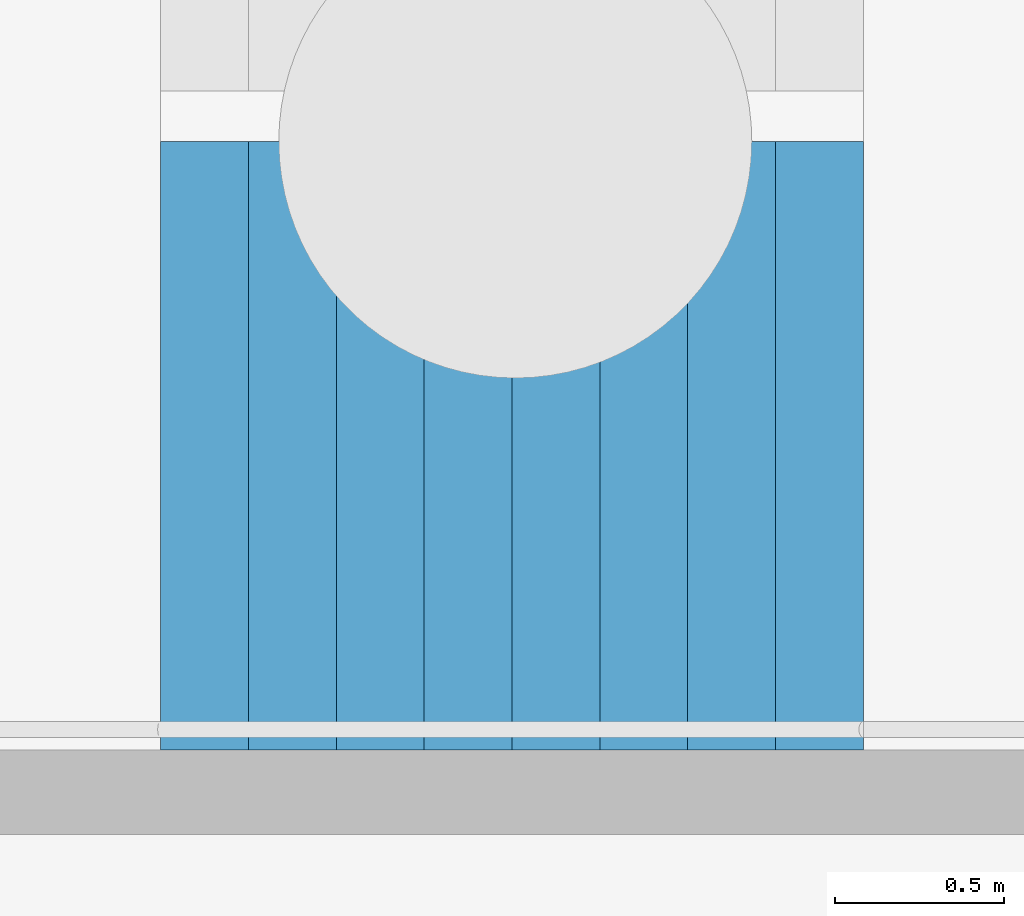
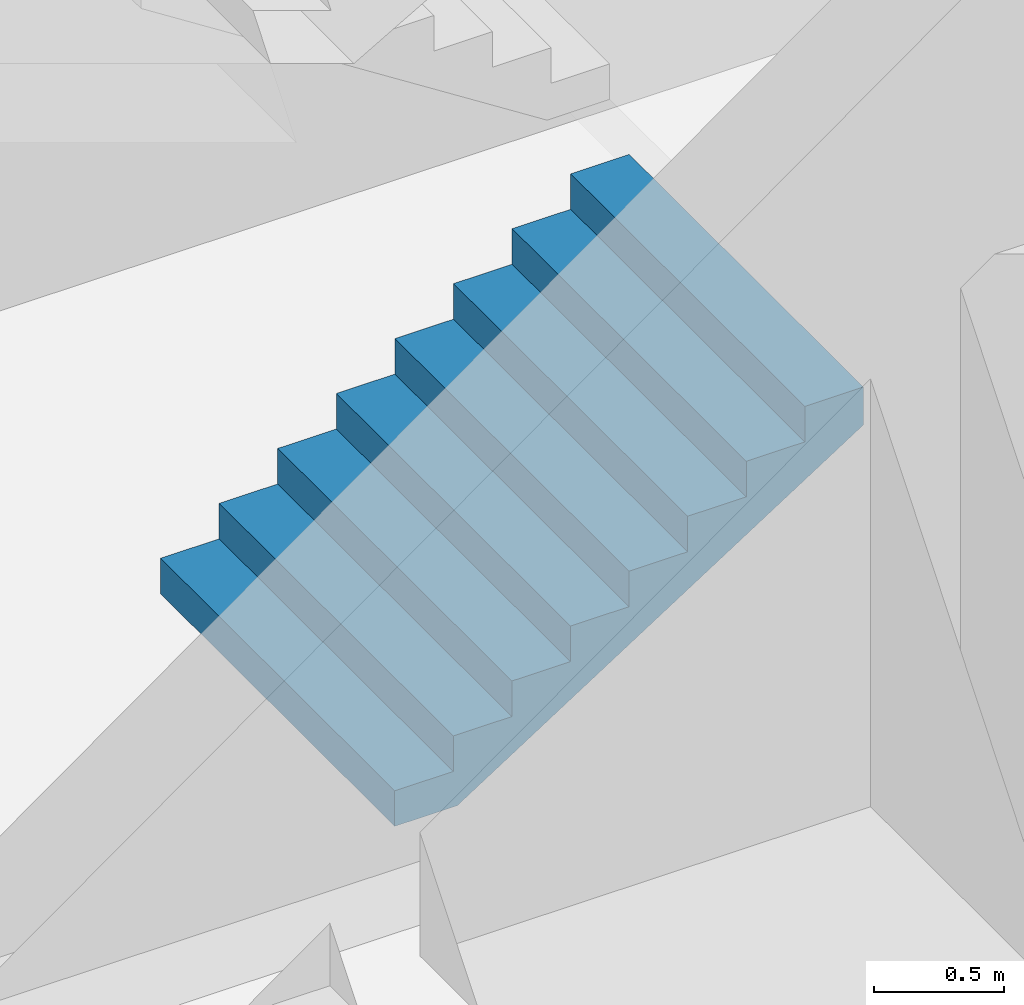
# One storey, part 58 of 113: 1 stair flight, 1 element without a shape of its own.
"""IFC4 building model written with IfcOpenShell, lengths in metres."""

from ifc_helpers import new_model, si_unit, direction, frame, origin, place, context, subcontext, project, spatial, triangles, material, type_object, element, aggregate, save


model = new_model("IFC4")

# Units and contexts
model_context = context("Model", 3, precision=1e-05, world=origin(), true_north=direction((0.0, 1.0)))
body_context = subcontext(model_context, "Body", "Model", "MODEL_VIEW")
ifc_project = project(units=[si_unit("LENGTHUNIT", "METRE"), si_unit("AREAUNIT", "SQUARE_METRE"), si_unit("VOLUMEUNIT", "CUBIC_METRE"), si_unit("PLANEANGLEUNIT", "RADIAN"), si_unit("MASSUNIT", "GRAM", prefix="KILO")], contexts=[model_context])

# Site, building, storey
site_placement = place(None, origin())
site = spatial("IfcSite", under=ifc_project, at=site_placement, CompositionType="ELEMENT")
building_placement = place(site_placement, origin())
building = spatial("IfcBuilding", under=site, at=building_placement, Name="Hakoniwa Tower and Hamabe Station Hall", CompositionType="ELEMENT")
storey_placement = place(building_placement, origin())
storey = spatial("IfcBuildingStorey", under=building, at=storey_placement, Name="L01", CompositionType="ELEMENT", Elevation=0.0)

# Stair, stair flight
ifc_material_1 = material(Name="Concrete C40", Category="concrete")
stair_type = type_object("IfcStairType", Name="ESCAPE STAIR 1800", PredefinedType="HALF_TURN_STAIR", material=ifc_material_1)
stair_placement = place(storey_placement, origin())
stair = element("IfcStair", 1, at=stair_placement, inside=storey, type_object=stair_type, Name="Escape stair ST-1 L01", PredefinedType="HALF_TURN_STAIR")
ifc_material_2 = material(Name="Concrete C40", Category="concrete")
stair_flight_type = type_object("IfcStairFlightType", Name="STAIR FLIGHT 1800", PredefinedType="STRAIGHT", material=ifc_material_2)
stair_flight_placement = place(storey_placement, frame((-24.39990234375, 4.64990234375, 0.0), z_axis=(0.0, 0.0, 1.0), x_axis=(1.0, 0.0, 0.0)))
stair_flight = element("IfcStairFlight", 2, at=stair_flight_placement, type_object=stair_flight_type, Name="ST-1 flight 1", NumberOfRisers=9, NumberOfTreads=8, PredefinedType="STRAIGHT", RiserHeight=0.166666667, TreadLength=0.26, context=body_context, shape_type="Tessellation", body=[
    triangles([(0.0, 0.89990234375, 0.0), (0.260009765625, 0.89990234375, 0.0), (0.27783203125, 0.89990234375, 0.0), (0.52001953125, 0.89990234375, 0.1552734375), (0.780029296875, 0.89990234375, 0.322021484375), (1.0400390625, 0.89990234375, 0.488525390625), (1.300048828125, 0.89990234375, 0.6552734375), (1.56005859375, 0.89990234375, 0.822021484375), (1.820068359375, 0.89990234375, 0.988525390625), (2.080078125, 0.89990234375, 1.1552734375), (2.080078125, 0.89990234375, 1.333251953125), (1.820068359375, 0.89990234375, 1.333251953125), (1.820068359375, 0.89990234375, 1.166748046875), (1.56005859375, 0.89990234375, 1.166748046875), (1.56005859375, 0.89990234375, 1.0), (1.300048828125, 0.89990234375, 1.0), (1.300048828125, 0.89990234375, 0.833251953125), (1.0400390625, 0.89990234375, 0.833251953125), (1.0400390625, 0.89990234375, 0.666748046875), (0.780029296875, 0.89990234375, 0.666748046875), (0.780029296875, 0.89990234375, 0.5), (0.52001953125, 0.89990234375, 0.5), (0.52001953125, 0.89990234375, 0.333251953125), (0.27783203125, 0.89990234375, 0.333251953125), (0.260009765625, 0.89990234375, 0.333251953125), (0.260009765625, 0.89990234375, 0.166748046875), (0.0, 0.89990234375, 0.166748046875), (0.0, 0.06005859375, 0.0), (0.260009765625, 0.06005859375, 0.0), (0.27783203125, 0.06005859375, 0.0), (0.52001953125, 0.06005859375, 0.1552734375), (0.780029296875, 0.06005859375, 0.322021484375), (1.0400390625, 0.06005859375, 0.488525390625), (1.300048828125, 0.06005859375, 0.6552734375), (1.56005859375, 0.06005859375, 0.822021484375), (1.820068359375, 0.06005859375, 0.988525390625), (2.080078125, 0.06005859375, 1.1552734375), (2.080078125, 0.06005859375, 1.333251953125), (1.820068359375, 0.06005859375, 1.333251953125), (1.820068359375, 0.06005859375, 1.166748046875), (1.56005859375, 0.06005859375, 1.166748046875), (1.56005859375, 0.06005859375, 1.0), (1.300048828125, 0.06005859375, 1.0), (1.300048828125, 0.06005859375, 0.833251953125), (1.0400390625, 0.06005859375, 0.833251953125), (1.0400390625, 0.06005859375, 0.666748046875), (0.780029296875, 0.06005859375, 0.666748046875), (0.780029296875, 0.06005859375, 0.5), (0.52001953125, 0.06005859375, 0.5), (0.52001953125, 0.06005859375, 0.333251953125), (0.27783203125, 0.06005859375, 0.333251953125), (0.260009765625, 0.06005859375, 0.333251953125), (0.260009765625, 0.06005859375, 0.166748046875), (0.0, 0.06005859375, 0.166748046875), (0.0, 0.04296875, 0.0), (0.260009765625, 0.04296875, 0.0), (0.27783203125, 0.04296875, 0.0), (0.52001953125, 0.04296875, 0.1552734375), (0.780029296875, 0.04296875, 0.322021484375), (1.0400390625, 0.04296875, 0.488525390625), (1.300048828125, 0.04296875, 0.6552734375), (1.56005859375, 0.04296875, 0.822021484375), (1.820068359375, 0.04296875, 0.988525390625), (2.080078125, 0.04296875, 1.1552734375), (2.080078125, 0.04296875, 1.333251953125), (1.820068359375, 0.04296875, 1.333251953125), (1.820068359375, 0.04296875, 1.166748046875), (1.56005859375, 0.04296875, 1.166748046875), (1.56005859375, 0.04296875, 1.0), (1.300048828125, 0.04296875, 1.0), (1.300048828125, 0.04296875, 0.833251953125), (1.0400390625, 0.04296875, 0.833251953125), (1.0400390625, 0.04296875, 0.666748046875), (0.780029296875, 0.04296875, 0.666748046875), (0.780029296875, 0.04296875, 0.5), (0.52001953125, 0.04296875, 0.5), (0.52001953125, 0.04296875, 0.333251953125), (0.27783203125, 0.04296875, 0.333251953125), (0.260009765625, 0.04296875, 0.333251953125), (0.260009765625, 0.04296875, 0.166748046875), (0.0, 0.04296875, 0.166748046875), (0.0, 0.025634765625, 0.0), (0.260009765625, 0.025634765625, 0.0), (0.27783203125, 0.025634765625, 0.0), (0.52001953125, 0.025634765625, 0.1552734375), (0.780029296875, 0.025634765625, 0.322021484375), (1.0400390625, 0.025634765625, 0.488525390625), (1.300048828125, 0.025634765625, 0.6552734375), (1.56005859375, 0.025634765625, 0.822021484375), (1.820068359375, 0.025634765625, 0.988525390625), (2.080078125, 0.025634765625, 1.1552734375), (2.080078125, 0.025634765625, 1.333251953125), (1.820068359375, 0.025634765625, 1.333251953125), (1.820068359375, 0.025634765625, 1.166748046875), (1.56005859375, 0.025634765625, 1.166748046875), (1.56005859375, 0.025634765625, 1.0), (1.300048828125, 0.025634765625, 1.0), (1.300048828125, 0.025634765625, 0.833251953125), (1.0400390625, 0.025634765625, 0.833251953125), (1.0400390625, 0.025634765625, 0.666748046875), (0.780029296875, 0.025634765625, 0.666748046875), (0.780029296875, 0.025634765625, 0.5), (0.52001953125, 0.025634765625, 0.5), (0.52001953125, 0.025634765625, 0.333251953125), (0.27783203125, 0.025634765625, 0.333251953125), (0.260009765625, 0.025634765625, 0.333251953125), (0.260009765625, 0.025634765625, 0.166748046875), (0.0, 0.025634765625, 0.166748046875), (0.0, 0.008544921875, 0.0), (0.260009765625, 0.008544921875, 0.0), (0.27783203125, 0.008544921875, 0.0), (0.52001953125, 0.008544921875, 0.1552734375), (0.780029296875, 0.008544921875, 0.322021484375), (1.0400390625, 0.008544921875, 0.488525390625), (1.300048828125, 0.008544921875, 0.6552734375), (1.56005859375, 0.008544921875, 0.822021484375), (1.820068359375, 0.008544921875, 0.988525390625), (2.080078125, 0.008544921875, 1.1552734375), (2.080078125, 0.008544921875, 1.333251953125), (1.820068359375, 0.008544921875, 1.333251953125), (1.820068359375, 0.008544921875, 1.166748046875), (1.56005859375, 0.008544921875, 1.166748046875), (1.56005859375, 0.008544921875, 1.0), (1.300048828125, 0.008544921875, 1.0), (1.300048828125, 0.008544921875, 0.833251953125), (1.0400390625, 0.008544921875, 0.833251953125), (1.0400390625, 0.008544921875, 0.666748046875), (0.780029296875, 0.008544921875, 0.666748046875), (0.780029296875, 0.008544921875, 0.5), (0.52001953125, 0.008544921875, 0.5), (0.52001953125, 0.008544921875, 0.333251953125), (0.27783203125, 0.008544921875, 0.333251953125), (0.260009765625, 0.008544921875, 0.333251953125), (0.260009765625, 0.008544921875, 0.166748046875), (0.0, 0.008544921875, 0.166748046875), (0.0, -0.008544921875, 0.0), (0.260009765625, -0.008544921875, 0.0), (0.27783203125, -0.008544921875, 0.0), (0.52001953125, -0.008544921875, 0.1552734375), (0.780029296875, -0.008544921875, 0.322021484375), (1.0400390625, -0.008544921875, 0.488525390625), (1.300048828125, -0.008544921875, 0.6552734375), (1.56005859375, -0.008544921875, 0.822021484375), (1.820068359375, -0.008544921875, 0.988525390625), (2.080078125, -0.008544921875, 1.1552734375), (2.080078125, -0.008544921875, 1.333251953125), (1.820068359375, -0.008544921875, 1.333251953125), (1.820068359375, -0.008544921875, 1.166748046875), (1.56005859375, -0.008544921875, 1.166748046875), (1.56005859375, -0.008544921875, 1.0), (1.300048828125, -0.008544921875, 1.0), (1.300048828125, -0.008544921875, 0.833251953125), (1.0400390625, -0.008544921875, 0.833251953125), (1.0400390625, -0.008544921875, 0.666748046875), (0.780029296875, -0.008544921875, 0.666748046875), (0.780029296875, -0.008544921875, 0.5), (0.52001953125, -0.008544921875, 0.5), (0.52001953125, -0.008544921875, 0.333251953125), (0.27783203125, -0.008544921875, 0.333251953125), (0.260009765625, -0.008544921875, 0.333251953125), (0.260009765625, -0.008544921875, 0.166748046875), (0.0, -0.008544921875, 0.166748046875), (0.0, -0.025634765625, 0.0), (0.260009765625, -0.025634765625, 0.0), (0.27783203125, -0.025634765625, 0.0), (0.52001953125, -0.025634765625, 0.1552734375), (0.780029296875, -0.025634765625, 0.322021484375), (1.0400390625, -0.025634765625, 0.488525390625), (1.300048828125, -0.025634765625, 0.6552734375), (1.56005859375, -0.025634765625, 0.822021484375), (1.820068359375, -0.025634765625, 0.988525390625), (2.080078125, -0.025634765625, 1.1552734375), (2.080078125, -0.025634765625, 1.333251953125), (1.820068359375, -0.025634765625, 1.333251953125), (1.820068359375, -0.025634765625, 1.166748046875), (1.56005859375, -0.025634765625, 1.166748046875), (1.56005859375, -0.025634765625, 1.0), (1.300048828125, -0.025634765625, 1.0), (1.300048828125, -0.025634765625, 0.833251953125), (1.0400390625, -0.025634765625, 0.833251953125), (1.0400390625, -0.025634765625, 0.666748046875), (0.780029296875, -0.025634765625, 0.666748046875), (0.780029296875, -0.025634765625, 0.5), (0.52001953125, -0.025634765625, 0.5), (0.52001953125, -0.025634765625, 0.333251953125), (0.27783203125, -0.025634765625, 0.333251953125), (0.260009765625, -0.025634765625, 0.333251953125), (0.260009765625, -0.025634765625, 0.166748046875), (0.0, -0.025634765625, 0.166748046875), (0.0, -0.04296875, 0.0), (0.260009765625, -0.04296875, 0.0), (0.27783203125, -0.04296875, 0.0), (0.52001953125, -0.04296875, 0.1552734375), (0.780029296875, -0.04296875, 0.322021484375), (1.0400390625, -0.04296875, 0.488525390625), (1.300048828125, -0.04296875, 0.6552734375), (1.56005859375, -0.04296875, 0.822021484375), (1.820068359375, -0.04296875, 0.988525390625), (2.080078125, -0.04296875, 1.1552734375), (2.080078125, -0.04296875, 1.333251953125), (1.820068359375, -0.04296875, 1.333251953125), (1.820068359375, -0.04296875, 1.166748046875), (1.56005859375, -0.04296875, 1.166748046875), (1.56005859375, -0.04296875, 1.0), (1.300048828125, -0.04296875, 1.0), (1.300048828125, -0.04296875, 0.833251953125), (1.0400390625, -0.04296875, 0.833251953125), (1.0400390625, -0.04296875, 0.666748046875), (0.780029296875, -0.04296875, 0.666748046875), (0.780029296875, -0.04296875, 0.5), (0.52001953125, -0.04296875, 0.5), (0.52001953125, -0.04296875, 0.333251953125), (0.27783203125, -0.04296875, 0.333251953125), (0.260009765625, -0.04296875, 0.333251953125), (0.260009765625, -0.04296875, 0.166748046875), (0.0, -0.04296875, 0.166748046875), (0.0, -0.06005859375, 0.0), (0.260009765625, -0.06005859375, 0.0), (0.27783203125, -0.06005859375, 0.0), (0.52001953125, -0.06005859375, 0.1552734375), (0.780029296875, -0.06005859375, 0.322021484375), (1.0400390625, -0.06005859375, 0.488525390625), (1.300048828125, -0.06005859375, 0.6552734375), (1.56005859375, -0.06005859375, 0.822021484375), (1.820068359375, -0.06005859375, 0.988525390625), (2.080078125, -0.06005859375, 1.1552734375), (2.080078125, -0.06005859375, 1.333251953125), (1.820068359375, -0.06005859375, 1.333251953125), (1.820068359375, -0.06005859375, 1.166748046875), (1.56005859375, -0.06005859375, 1.166748046875), (1.56005859375, -0.06005859375, 1.0), (1.300048828125, -0.06005859375, 1.0), (1.300048828125, -0.06005859375, 0.833251953125), (1.0400390625, -0.06005859375, 0.833251953125), (1.0400390625, -0.06005859375, 0.666748046875), (0.780029296875, -0.06005859375, 0.666748046875), (0.780029296875, -0.06005859375, 0.5), (0.52001953125, -0.06005859375, 0.5), (0.52001953125, -0.06005859375, 0.333251953125), (0.27783203125, -0.06005859375, 0.333251953125), (0.260009765625, -0.06005859375, 0.333251953125), (0.260009765625, -0.06005859375, 0.166748046875), (0.0, -0.06005859375, 0.166748046875), (0.0, -0.89990234375, 0.0), (0.260009765625, -0.89990234375, 0.0), (0.27783203125, -0.89990234375, 0.0), (0.52001953125, -0.89990234375, 0.1552734375), (0.780029296875, -0.89990234375, 0.322021484375), (1.0400390625, -0.89990234375, 0.488525390625), (1.300048828125, -0.89990234375, 0.6552734375), (1.56005859375, -0.89990234375, 0.822021484375), (1.820068359375, -0.89990234375, 0.988525390625), (2.080078125, -0.89990234375, 1.1552734375), (2.080078125, -0.89990234375, 1.333251953125), (1.820068359375, -0.89990234375, 1.333251953125), (1.820068359375, -0.89990234375, 1.166748046875), (1.56005859375, -0.89990234375, 1.166748046875), (1.56005859375, -0.89990234375, 1.0), (1.300048828125, -0.89990234375, 1.0), (1.300048828125, -0.89990234375, 0.833251953125), (1.0400390625, -0.89990234375, 0.833251953125), (1.0400390625, -0.89990234375, 0.666748046875), (0.780029296875, -0.89990234375, 0.666748046875), (0.780029296875, -0.89990234375, 0.5), (0.52001953125, -0.89990234375, 0.5), (0.52001953125, -0.89990234375, 0.333251953125), (0.27783203125, -0.89990234375, 0.333251953125), (0.260009765625, -0.89990234375, 0.333251953125), (0.260009765625, -0.89990234375, 0.166748046875), (0.0, -0.89990234375, 0.166748046875)], [[2, 27, 26], [245, 269, 270], [2, 1, 27], [245, 270, 244], [3, 25, 24], [246, 267, 268], [3, 26, 25], [246, 268, 269], [3, 2, 26], [246, 269, 245], [4, 24, 23], [247, 266, 267], [4, 3, 24], [247, 267, 246], [5, 22, 21], [248, 264, 265], [5, 23, 22], [248, 265, 266], [5, 4, 23], [248, 266, 247], [6, 20, 19], [249, 262, 263], [6, 21, 20], [249, 263, 264], [6, 5, 21], [249, 264, 248], [7, 18, 17], [250, 260, 261], [7, 19, 18], [250, 261, 262], [7, 6, 19], [250, 262, 249], [8, 16, 15], [251, 258, 259], [8, 17, 16], [251, 259, 260], [8, 7, 17], [251, 260, 250], [9, 14, 13], [252, 256, 257], [9, 15, 14], [252, 257, 258], [9, 8, 15], [252, 258, 251], [10, 12, 11], [253, 254, 255], [10, 13, 12], [253, 255, 256], [10, 9, 13], [253, 256, 252], [1, 2, 29], [1, 29, 28], [28, 29, 56], [28, 56, 55], [55, 56, 83], [55, 83, 82], [82, 83, 110], [82, 110, 109], [109, 110, 137], [109, 137, 136], [136, 137, 164], [136, 164, 163], [163, 164, 191], [163, 191, 190], [190, 191, 218], [190, 218, 217], [217, 218, 245], [217, 245, 244], [2, 3, 30], [2, 30, 29], [29, 30, 57], [29, 57, 56], [56, 57, 84], [56, 84, 83], [83, 84, 111], [83, 111, 110], [110, 111, 138], [110, 138, 137], [137, 138, 165], [137, 165, 164], [164, 165, 192], [164, 192, 191], [191, 192, 219], [191, 219, 218], [218, 219, 246], [218, 246, 245], [3, 4, 31], [3, 31, 30], [30, 31, 58], [30, 58, 57], [57, 58, 85], [57, 85, 84], [84, 85, 112], [84, 112, 111], [111, 112, 139], [111, 139, 138], [138, 139, 166], [138, 166, 165], [165, 166, 193], [165, 193, 192], [192, 193, 220], [192, 220, 219], [219, 220, 247], [219, 247, 246], [4, 5, 32], [4, 32, 31], [31, 32, 59], [31, 59, 58], [58, 59, 86], [58, 86, 85], [85, 86, 113], [85, 113, 112], [112, 113, 140], [112, 140, 139], [139, 140, 167], [139, 167, 166], [166, 167, 194], [166, 194, 193], [193, 194, 221], [193, 221, 220], [220, 221, 248], [220, 248, 247], [5, 6, 33], [5, 33, 32], [32, 33, 60], [32, 60, 59], [59, 60, 87], [59, 87, 86], [86, 87, 114], [86, 114, 113], [113, 114, 141], [113, 141, 140], [140, 141, 168], [140, 168, 167], [167, 168, 195], [167, 195, 194], [194, 195, 222], [194, 222, 221], [221, 222, 249], [221, 249, 248], [6, 7, 34], [6, 34, 33], [33, 34, 61], [33, 61, 60], [60, 61, 88], [60, 88, 87], [87, 88, 115], [87, 115, 114], [114, 115, 142], [114, 142, 141], [141, 142, 169], [141, 169, 168], [168, 169, 196], [168, 196, 195], [195, 196, 223], [195, 223, 222], [222, 223, 250], [222, 250, 249], [7, 8, 35], [7, 35, 34], [34, 35, 62], [34, 62, 61], [61, 62, 89], [61, 89, 88], [88, 89, 116], [88, 116, 115], [115, 116, 143], [115, 143, 142], [142, 143, 170], [142, 170, 169], [169, 170, 197], [169, 197, 196], [196, 197, 224], [196, 224, 223], [223, 224, 251], [223, 251, 250], [8, 9, 36], [8, 36, 35], [35, 36, 63], [35, 63, 62], [62, 63, 90], [62, 90, 89], [89, 90, 117], [89, 117, 116], [116, 117, 144], [116, 144, 143], [143, 144, 171], [143, 171, 170], [170, 171, 198], [170, 198, 197], [197, 198, 225], [197, 225, 224], [224, 225, 252], [224, 252, 251], [9, 10, 37], [9, 37, 36], [36, 37, 64], [36, 64, 63], [63, 64, 91], [63, 91, 90], [90, 91, 118], [90, 118, 117], [117, 118, 145], [117, 145, 144], [144, 145, 172], [144, 172, 171], [171, 172, 199], [171, 199, 198], [198, 199, 226], [198, 226, 225], [225, 226, 253], [225, 253, 252], [10, 11, 38], [10, 38, 37], [37, 38, 65], [37, 65, 64], [64, 65, 92], [64, 92, 91], [91, 92, 119], [91, 119, 118], [118, 119, 146], [118, 146, 145], [145, 146, 173], [145, 173, 172], [172, 173, 200], [172, 200, 199], [199, 200, 227], [199, 227, 226], [226, 227, 254], [226, 254, 253], [11, 12, 39], [11, 39, 38], [38, 39, 66], [38, 66, 65], [65, 66, 93], [65, 93, 92], [92, 93, 120], [92, 120, 119], [119, 120, 147], [119, 147, 146], [146, 147, 174], [146, 174, 173], [173, 174, 201], [173, 201, 200], [200, 201, 228], [200, 228, 227], [227, 228, 255], [227, 255, 254], [12, 13, 40], [12, 40, 39], [39, 40, 67], [39, 67, 66], [66, 67, 94], [66, 94, 93], [93, 94, 121], [93, 121, 120], [120, 121, 148], [120, 148, 147], [147, 148, 175], [147, 175, 174], [174, 175, 202], [174, 202, 201], [201, 202, 229], [201, 229, 228], [228, 229, 256], [228, 256, 255], [13, 14, 41], [13, 41, 40], [40, 41, 68], [40, 68, 67], [67, 68, 95], [67, 95, 94], [94, 95, 122], [94, 122, 121], [121, 122, 149], [121, 149, 148], [148, 149, 176], [148, 176, 175], [175, 176, 203], [175, 203, 202], [202, 203, 230], [202, 230, 229], [229, 230, 257], [229, 257, 256], [14, 15, 42], [14, 42, 41], [41, 42, 69], [41, 69, 68], [68, 69, 96], [68, 96, 95], [95, 96, 123], [95, 123, 122], [122, 123, 150], [122, 150, 149], [149, 150, 177], [149, 177, 176], [176, 177, 204], [176, 204, 203], [203, 204, 231], [203, 231, 230], [230, 231, 258], [230, 258, 257], [15, 16, 43], [15, 43, 42], [42, 43, 70], [42, 70, 69], [69, 70, 97], [69, 97, 96], [96, 97, 124], [96, 124, 123], [123, 124, 151], [123, 151, 150], [150, 151, 178], [150, 178, 177], [177, 178, 205], [177, 205, 204], [204, 205, 232], [204, 232, 231], [231, 232, 259], [231, 259, 258], [16, 17, 44], [16, 44, 43], [43, 44, 71], [43, 71, 70], [70, 71, 98], [70, 98, 97], [97, 98, 125], [97, 125, 124], [124, 125, 152], [124, 152, 151], [151, 152, 179], [151, 179, 178], [178, 179, 206], [178, 206, 205], [205, 206, 233], [205, 233, 232], [232, 233, 260], [232, 260, 259], [17, 18, 45], [17, 45, 44], [44, 45, 72], [44, 72, 71], [71, 72, 99], [71, 99, 98], [98, 99, 126], [98, 126, 125], [125, 126, 153], [125, 153, 152], [152, 153, 180], [152, 180, 179], [179, 180, 207], [179, 207, 206], [206, 207, 234], [206, 234, 233], [233, 234, 261], [233, 261, 260], [18, 19, 46], [18, 46, 45], [45, 46, 73], [45, 73, 72], [72, 73, 100], [72, 100, 99], [99, 100, 127], [99, 127, 126], [126, 127, 154], [126, 154, 153], [153, 154, 181], [153, 181, 180], [180, 181, 208], [180, 208, 207], [207, 208, 235], [207, 235, 234], [234, 235, 262], [234, 262, 261], [19, 20, 47], [19, 47, 46], [46, 47, 74], [46, 74, 73], [73, 74, 101], [73, 101, 100], [100, 101, 128], [100, 128, 127], [127, 128, 155], [127, 155, 154], [154, 155, 182], [154, 182, 181], [181, 182, 209], [181, 209, 208], [208, 209, 236], [208, 236, 235], [235, 236, 263], [235, 263, 262], [20, 21, 48], [20, 48, 47], [47, 48, 75], [47, 75, 74], [74, 75, 102], [74, 102, 101], [101, 102, 129], [101, 129, 128], [128, 129, 156], [128, 156, 155], [155, 156, 183], [155, 183, 182], [182, 183, 210], [182, 210, 209], [209, 210, 237], [209, 237, 236], [236, 237, 264], [236, 264, 263], [21, 22, 49], [21, 49, 48], [48, 49, 76], [48, 76, 75], [75, 76, 103], [75, 103, 102], [102, 103, 130], [102, 130, 129], [129, 130, 157], [129, 157, 156], [156, 157, 184], [156, 184, 183], [183, 184, 211], [183, 211, 210], [210, 211, 238], [210, 238, 237], [237, 238, 265], [237, 265, 264], [22, 23, 50], [22, 50, 49], [49, 50, 77], [49, 77, 76], [76, 77, 104], [76, 104, 103], [103, 104, 131], [103, 131, 130], [130, 131, 158], [130, 158, 157], [157, 158, 185], [157, 185, 184], [184, 185, 212], [184, 212, 211], [211, 212, 239], [211, 239, 238], [238, 239, 266], [238, 266, 265], [23, 24, 51], [23, 51, 50], [50, 51, 78], [50, 78, 77], [77, 78, 105], [77, 105, 104], [104, 105, 132], [104, 132, 131], [131, 132, 159], [131, 159, 158], [158, 159, 186], [158, 186, 185], [185, 186, 213], [185, 213, 212], [212, 213, 240], [212, 240, 239], [239, 240, 267], [239, 267, 266], [24, 25, 52], [24, 52, 51], [51, 52, 79], [51, 79, 78], [78, 79, 106], [78, 106, 105], [105, 106, 133], [105, 133, 132], [132, 133, 160], [132, 160, 159], [159, 160, 187], [159, 187, 186], [186, 187, 214], [186, 214, 213], [213, 214, 241], [213, 241, 240], [240, 241, 268], [240, 268, 267], [25, 26, 53], [25, 53, 52], [52, 53, 80], [52, 80, 79], [79, 80, 107], [79, 107, 106], [106, 107, 134], [106, 134, 133], [133, 134, 161], [133, 161, 160], [160, 161, 188], [160, 188, 187], [187, 188, 215], [187, 215, 214], [214, 215, 242], [214, 242, 241], [241, 242, 269], [241, 269, 268], [26, 27, 54], [26, 54, 53], [53, 54, 81], [53, 81, 80], [80, 81, 108], [80, 108, 107], [107, 108, 135], [107, 135, 134], [134, 135, 162], [134, 162, 161], [161, 162, 189], [161, 189, 188], [188, 189, 216], [188, 216, 215], [215, 216, 243], [215, 243, 242], [242, 243, 270], [242, 270, 269], [27, 1, 28], [27, 28, 54], [54, 28, 55], [54, 55, 81], [81, 55, 82], [81, 82, 108], [108, 82, 109], [108, 109, 135], [135, 109, 136], [135, 136, 162], [162, 136, 163], [162, 163, 189], [189, 163, 190], [189, 190, 216], [216, 190, 217], [216, 217, 243], [243, 217, 244], [243, 244, 270]], closed=True),
])
aggregate(stair, [stair_flight])

save(model, "model.ifc")
